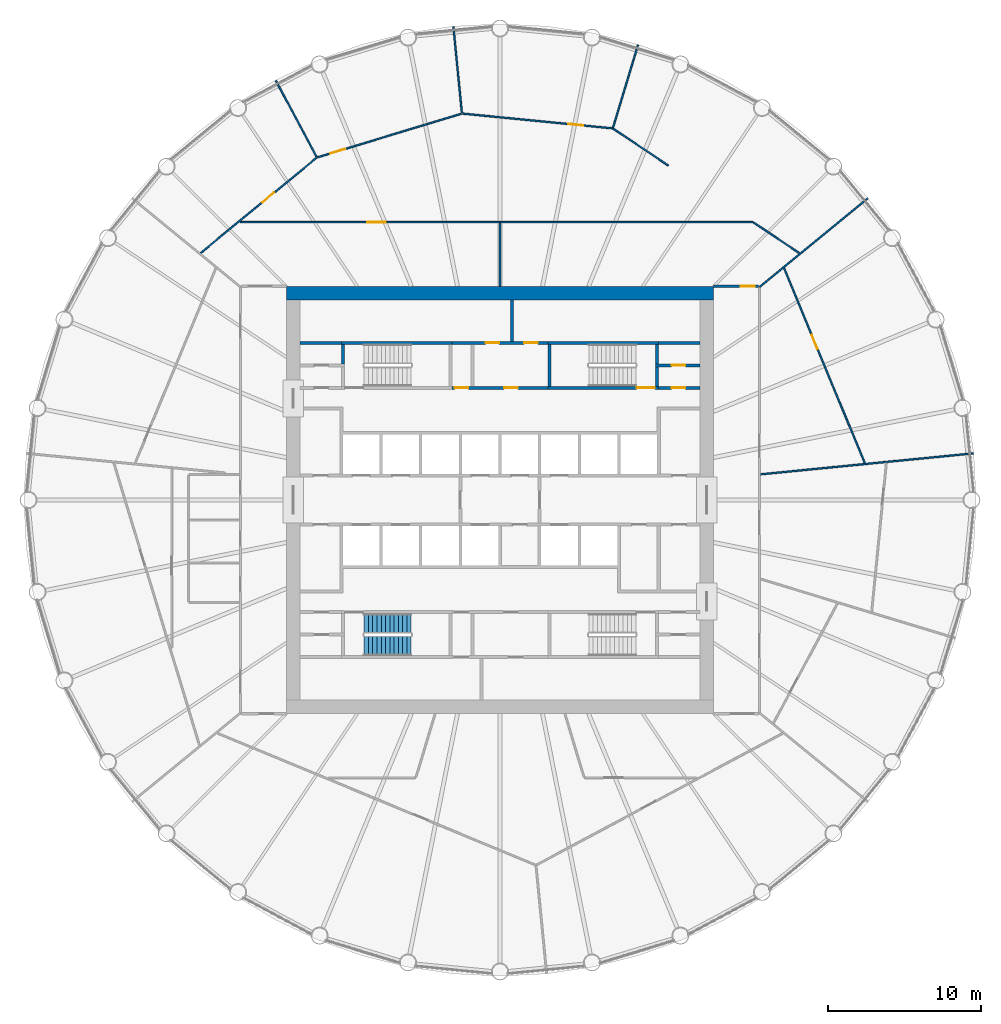
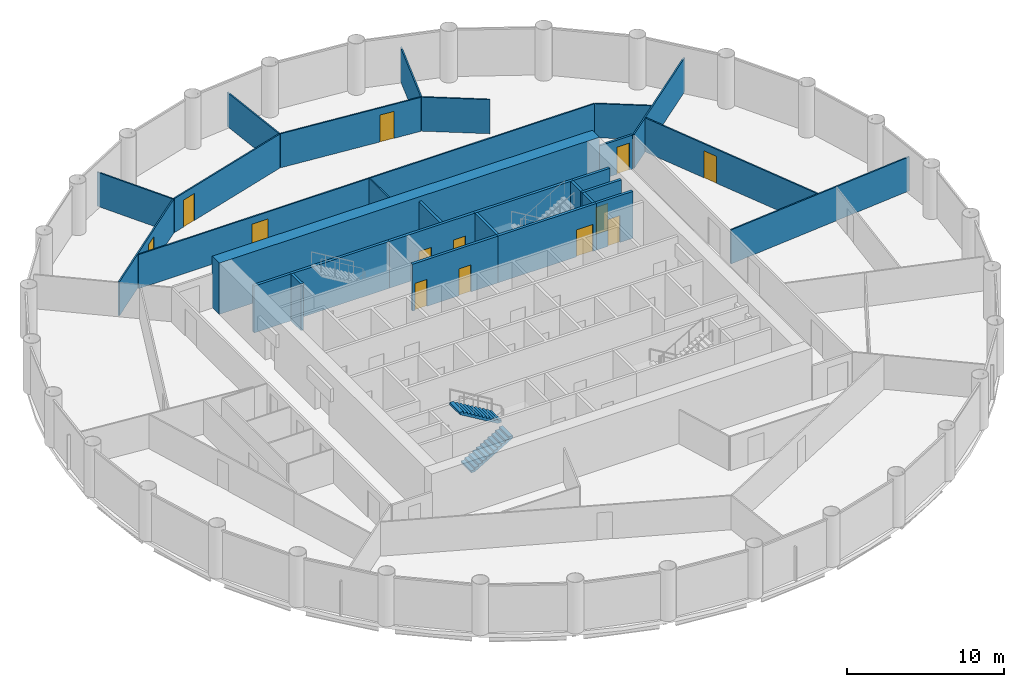
# One storey, part 7 of 9: 29 walls, 13 doors, 2 stair flights, 13 openings, 1 element without a shape of its own.
"""IFC4 building model written with IfcOpenShell, lengths in metres."""

from ifc_helpers import new_model, si_unit, direction, frame, frame_2d, origin, place, context, subcontext, project, spatial, polyline, rectangle, outline, extrude, material, layer, layer_set, type_object, element, fill, aggregate, save


model = new_model("IFC4")

# Units and contexts
model_context = context("Model", 3, precision=1e-05, world=origin(), true_north=direction((0.0, 1.0)))
body_context = subcontext(model_context, "Body", "Model", "MODEL_VIEW")
ifc_project = project(units=[si_unit("LENGTHUNIT", "METRE"), si_unit("AREAUNIT", "SQUARE_METRE"), si_unit("VOLUMEUNIT", "CUBIC_METRE"), si_unit("PLANEANGLEUNIT", "RADIAN"), si_unit("MASSUNIT", "GRAM", prefix="KILO")], contexts=[model_context])

# Site, building, storey
site_placement = place(None, origin())
site = spatial("IfcSite", under=ifc_project, at=site_placement, CompositionType="ELEMENT")
building_placement = place(site_placement, origin())
building = spatial("IfcBuilding", under=site, at=building_placement, Name="Corvane Civic Tower", CompositionType="ELEMENT")
storey_placement = place(building_placement, frame((0.0, 0.0, 192.0)))
storey = spatial("IfcBuildingStorey", under=building, at=storey_placement, Name="L45", CompositionType="ELEMENT", Elevation=192.0)

# Wall
ifc_material_1 = material(Name="Concrete C60/75", Category="concrete")
ifc_layer_1 = layer(ifc_material_1, 0.89990234375)
ifc_layer_set_1 = layer_set([ifc_layer_1], Name="Concrete C60/75")
wall_type_1 = type_object("IfcWallType", Name="CORE WALL 900 C60/75", PredefinedType="SHEAR", material=ifc_layer_set_1)
wall_1_placement = place(storey_placement, frame((-14.0, 13.550048828125, 0.0), z_axis=(0.0, 0.0, 1.0), x_axis=(1.0, 0.0, 0.0)))
element("IfcWall", 1, at=wall_1_placement, inside=storey, type_object=wall_type_1, Name="W-L45-core-N", PredefinedType="SHEAR", context=body_context, shape_type="SweptSolid", body=[
    extrude(rectangle(XDim=28.0, YDim=0.89990234375, at=frame_2d((14.0, 0.0))), origin(), (0.0, 0.0, 1.0), 4.0),
])

# Wall, openings, doors
ifc_material_2 = material(Name="Concrete C30/37", Category="concrete")
ifc_layer_2 = layer(ifc_material_2, 0.199951171875)
ifc_layer_set_2 = layer_set([ifc_layer_2], Name="Concrete C30/37")
wall_type_2 = type_object("IfcWallType", Name="CR-WALL-200", PredefinedType="PARTITIONING", material=ifc_layer_set_2)
wall_2_placement = place(storey_placement, frame((-3.14990234375, 7.35009765625, 0.0), z_axis=(0.0, 0.0, 1.0), x_axis=(1.0, 0.0, 0.0)))
wall_2 = element("IfcWall", 2, at=wall_2_placement, inside=storey, type_object=wall_type_2, Name="L45 core partition wall", PredefinedType="PARTITIONING", context=body_context, shape_type="SweptSolid", body=[
    extrude(rectangle(XDim=6.2998046875, YDim=0.199951171875, at=frame_2d((3.14990234375, 0.0))), origin(), (0.0, 0.0, 1.0), 3.64990234375),
])
opening_1_placement = place(wall_2_placement, frame((0.175048828125, 0.0, 0.0)))
opening_1 = element("IfcOpeningElement", 3, at=opening_1_placement, cuts=wall_2, Name="Opening L45.C07", PredefinedType="OPENING", context=body_context, shape_type="SweptSolid", body=[
    extrude(rectangle(XDim=0.89990234375, YDim=2.10009765625, at=frame_2d((0.449951171875, 1.050048828125))), frame((0.0, 0.10986328125, 0.0), z_axis=(0.0, -1.0, 0.0), x_axis=(1.0, 0.0, 0.0)), (0.0, 0.0, 1.0), 0.219970703125),
])
opening_2_placement = place(wall_2_placement, frame((3.425048828125, 0.0, 0.0)))
opening_2 = element("IfcOpeningElement", 4, at=opening_2_placement, cuts=wall_2, Name="Opening L45.C08", PredefinedType="OPENING", context=body_context, shape_type="SweptSolid", body=[
    extrude(rectangle(XDim=0.89990234375, YDim=2.10009765625, at=frame_2d((0.449951171875, 1.050048828125))), frame((0.0, 0.10986328125, 0.0), z_axis=(0.0, -1.0, 0.0), x_axis=(1.0, 0.0, 0.0)), (0.0, 0.0, 1.0), 0.219970703125),
])
ifc_material_3 = material(Name="Steel fire door leaf", Category="steel")
door_type_1 = type_object("IfcDoorType", Name="CR-DOOR-900", OperationType="SINGLE_SWING_LEFT", PredefinedType="DOOR", material=ifc_material_3)
door_1_placement = place(opening_1_placement, origin())
door_1 = element("IfcDoor", 5, at=door_1_placement, inside=storey, type_object=door_type_1, Name="L45 door", OperationType="SINGLE_SWING_LEFT", OverallHeight=2.10009765625, OverallWidth=0.89990234375, PredefinedType="DOOR", context=body_context, shape_type="SweptSolid", body=[
    extrude(rectangle(XDim=0.89990234375, YDim=2.10009765625, at=frame_2d((0.449951171875, 1.050048828125))), frame((0.0, 0.02490234375, 0.0), z_axis=(0.0, -1.0, 0.0), x_axis=(1.0, 0.0, 0.0)), (0.0, 0.0, 1.0), 0.050048828125),
])
fill(opening_1, door_1)
door_2_placement = place(opening_2_placement, origin())
door_2 = element("IfcDoor", 6, at=door_2_placement, inside=storey, type_object=door_type_1, Name="L45 door", OperationType="SINGLE_SWING_LEFT", OverallHeight=2.10009765625, OverallWidth=0.89990234375, PredefinedType="DOOR", context=body_context, shape_type="SweptSolid", body=[
    extrude(rectangle(XDim=0.89990234375, YDim=2.10009765625, at=frame_2d((0.449951171875, 1.050048828125))), frame((0.0, 0.02490234375, 0.0), z_axis=(0.0, -1.0, 0.0), x_axis=(1.0, 0.0, 0.0)), (0.0, 0.0, 1.0), 0.050048828125),
])
fill(opening_2, door_2)

# Wall, opening, door
wall_3_placement = place(storey_placement, frame((10.39990234375, 7.35009765625, 0.0), z_axis=(0.0, 0.0, 1.0), x_axis=(1.0, 0.0, 0.0)))
wall_3 = element("IfcWall", 7, at=wall_3_placement, inside=storey, type_object=wall_type_2, Name="L45 core partition wall", PredefinedType="PARTITIONING", context=body_context, shape_type="SweptSolid", body=[
    extrude(rectangle(XDim=2.7001953125, YDim=0.199951171875, at=frame_2d((1.35009765625, 0.0))), origin(), (0.0, 0.0, 1.0), 3.64990234375),
])
opening_3_placement = place(wall_3_placement, frame((0.85009765625, 0.0, 0.0)))
opening_3 = element("IfcOpeningElement", 8, at=opening_3_placement, cuts=wall_3, Name="Opening L45.C19", PredefinedType="OPENING", context=body_context, shape_type="SweptSolid", body=[
    extrude(rectangle(XDim=0.89990234375, YDim=2.10009765625, at=frame_2d((0.449951171875, 1.050048828125))), frame((0.0, 0.10986328125, 0.0), z_axis=(0.0, -1.0, 0.0), x_axis=(1.0, 0.0, 0.0)), (0.0, 0.0, 1.0), 0.219970703125),
])
door_3_placement = place(opening_3_placement, origin())
door_3 = element("IfcDoor", 9, at=door_3_placement, inside=storey, type_object=door_type_1, Name="L45 door", OperationType="SINGLE_SWING_LEFT", OverallHeight=2.10009765625, OverallWidth=0.89990234375, PredefinedType="DOOR", context=body_context, shape_type="SweptSolid", body=[
    extrude(rectangle(XDim=0.89990234375, YDim=2.10009765625, at=frame_2d((0.449951171875, 1.050048828125))), frame((0.0, 0.02490234375, 0.0), z_axis=(0.0, -1.0, 0.0), x_axis=(1.0, 0.0, 0.0)), (0.0, 0.0, 1.0), 0.050048828125),
])
fill(opening_3, door_3)

wall_4_placement = place(storey_placement, frame((10.199951171875, 8.824951171875, 0.0), z_axis=(0.0, 0.0, 1.0), x_axis=(1.0, 0.0, 0.0)))
wall_4 = element("IfcWall", 10, at=wall_4_placement, inside=storey, type_object=wall_type_2, Name="L45 partition wall", PredefinedType="PARTITIONING", context=body_context, shape_type="SweptSolid", body=[
    extrude(rectangle(XDim=2.900146484375, YDim=0.199951171875, at=frame_2d((1.4501953125, 0.0))), origin(), (0.0, 0.0, 1.0), 3.64990234375),
])
opening_4_placement = place(wall_4_placement, frame((1.050048828125, 0.0, 0.0)))
opening_4 = element("IfcOpeningElement", 11, at=opening_4_placement, cuts=wall_4, Name="Opening L45.C20", PredefinedType="OPENING", context=body_context, shape_type="SweptSolid", body=[
    extrude(rectangle(XDim=0.89990234375, YDim=2.10009765625, at=frame_2d((0.449951171875, 1.050048828125))), frame((0.0, 0.10986328125, 0.0), z_axis=(0.0, -1.0, 0.0), x_axis=(1.0, 0.0, 0.0)), (0.0, 0.0, 1.0), 0.219970703125),
])
door_4_placement = place(opening_4_placement, origin())
door_4 = element("IfcDoor", 12, at=door_4_placement, inside=storey, type_object=door_type_1, Name="L45 door", OperationType="SINGLE_SWING_LEFT", OverallHeight=2.10009765625, OverallWidth=0.89990234375, PredefinedType="DOOR", context=body_context, shape_type="SweptSolid", body=[
    extrude(rectangle(XDim=0.89990234375, YDim=2.10009765625, at=frame_2d((0.449951171875, 1.050048828125))), frame((0.0, 0.02490234375, 0.0), z_axis=(0.0, -1.0, 0.0), x_axis=(1.0, 0.0, 0.0)), (0.0, 0.0, 1.0), 0.050048828125),
])
fill(opening_4, door_4)

# Wall, openings, doors
wall_5_placement = place(storey_placement, frame((-3.14990234375, 10.300048828125, 0.0), z_axis=(0.0, 0.0, 1.0), x_axis=(1.0, 0.0, 0.0)))
wall_5 = element("IfcWall", 13, at=wall_5_placement, inside=storey, type_object=wall_type_2, Name="L45 partition wall", PredefinedType="PARTITIONING", context=body_context, shape_type="SweptSolid", body=[
    extrude(rectangle(XDim=6.2998046875, YDim=0.199951171875, at=frame_2d((3.14990234375, 0.0))), origin(), (0.0, 0.0, 1.0), 3.64990234375),
])
opening_5_placement = place(wall_5_placement, frame((2.199951171875, 0.0, 0.0)))
opening_5 = element("IfcOpeningElement", 14, at=opening_5_placement, cuts=wall_5, Name="Opening L45.C11", PredefinedType="OPENING", context=body_context, shape_type="SweptSolid", body=[
    extrude(rectangle(XDim=0.89990234375, YDim=2.10009765625, at=frame_2d((0.449951171875, 1.050048828125))), frame((0.0, 0.10986328125, 0.0), z_axis=(0.0, -1.0, 0.0), x_axis=(1.0, 0.0, 0.0)), (0.0, 0.0, 1.0), 0.219970703125),
])
opening_6_placement = place(wall_5_placement, frame((4.72509765625, 0.0, 0.0)))
opening_6 = element("IfcOpeningElement", 15, at=opening_6_placement, cuts=wall_5, Name="Opening L45.C12", PredefinedType="OPENING", context=body_context, shape_type="SweptSolid", body=[
    extrude(rectangle(XDim=0.89990234375, YDim=2.10009765625, at=frame_2d((0.449951171875, 1.050048828125))), frame((0.0, 0.10986328125, 0.0), z_axis=(0.0, -1.0, 0.0), x_axis=(1.0, 0.0, 0.0)), (0.0, 0.0, 1.0), 0.219970703125),
])
door_5_placement = place(opening_5_placement, origin())
door_5 = element("IfcDoor", 16, at=door_5_placement, inside=storey, type_object=door_type_1, Name="L45 door", OperationType="SINGLE_SWING_LEFT", OverallHeight=2.10009765625, OverallWidth=0.89990234375, PredefinedType="DOOR", context=body_context, shape_type="SweptSolid", body=[
    extrude(rectangle(XDim=0.89990234375, YDim=2.10009765625, at=frame_2d((0.449951171875, 1.050048828125))), frame((0.0, 0.02490234375, 0.0), z_axis=(0.0, -1.0, 0.0), x_axis=(1.0, 0.0, 0.0)), (0.0, 0.0, 1.0), 0.050048828125),
])
fill(opening_5, door_5)
door_6_placement = place(opening_6_placement, origin())
door_6 = element("IfcDoor", 17, at=door_6_placement, inside=storey, type_object=door_type_1, Name="L45 door", OperationType="SINGLE_SWING_LEFT", OverallHeight=2.10009765625, OverallWidth=0.89990234375, PredefinedType="DOOR", context=body_context, shape_type="SweptSolid", body=[
    extrude(rectangle(XDim=0.89990234375, YDim=2.10009765625, at=frame_2d((0.449951171875, 1.050048828125))), frame((0.0, 0.02490234375, 0.0), z_axis=(0.0, -1.0, 0.0), x_axis=(1.0, 0.0, 0.0)), (0.0, 0.0, 1.0), 0.050048828125),
])
fill(opening_6, door_6)

# Walls
wall_6_placement = place(storey_placement, origin())
element("IfcWall", 18, at=wall_6_placement, inside=storey, type_object=wall_type_2, Name="L45 core partition wall", PredefinedType="PARTITIONING", context=body_context, shape_type="SweptSolid", body=[
    extrude(outline(polyline([(-13.10009765625, 10.199951171875), (-13.10009765625, 10.39990234375), (-10.39990234375, 10.39990234375), (-10.39990234375, 10.199951171875), (-13.10009765625, 10.199951171875)])), origin(), (0.0, 0.0, 1.0), 3.64990234375),
])
wall_7_placement = place(storey_placement, origin())
element("IfcWall", 19, at=wall_7_placement, inside=storey, type_object=wall_type_2, Name="L45 core partition wall", PredefinedType="PARTITIONING", context=body_context, shape_type="SweptSolid", body=[
    extrude(outline(polyline([(0.89990234375, 10.39990234375), (0.699951171875, 10.39990234375), (0.699951171875, 13.10009765625), (0.89990234375, 13.10009765625), (0.89990234375, 10.39990234375)])), origin(), (0.0, 0.0, 1.0), 3.64990234375),
])
wall_8_placement = place(storey_placement, origin())
element("IfcWall", 20, at=wall_8_placement, inside=storey, type_object=wall_type_2, Name="L45 core partition wall", PredefinedType="PARTITIONING", context=body_context, shape_type="SweptSolid", body=[
    extrude(outline(polyline([(10.39990234375, 10.199951171875), (10.39990234375, 10.39990234375), (13.10009765625, 10.39990234375), (13.10009765625, 10.199951171875), (10.39990234375, 10.199951171875)])), origin(), (0.0, 0.0, 1.0), 3.64990234375),
])
ifc_material_4 = material(Name="Plasterboard")
ifc_layer_3 = layer(ifc_material_4, 0.10009765625)
ifc_layer_set_3 = layer_set([ifc_layer_3], Name="Plasterboard")
wall_type_3 = type_object("IfcWallType", Name="Partition 100 plasterboard on studs", PredefinedType="PARTITIONING", material=ifc_layer_set_3)
wall_9_placement = place(storey_placement, frame((17.079833984375, 1.68212890625, 0.0), z_axis=(0.0, 0.0, 1.0), x_axis=(0.995184356936, 0.098020894254, 0.0)))
element("IfcWall", 21, at=wall_9_placement, inside=storey, type_object=wall_type_3, Name="Partition L45.025", PredefinedType="PARTITIONING", context=body_context, shape_type="SweptSolid", body=[
    extrude(rectangle(XDim=13.98779296875, YDim=0.10009765625, at=frame_2d((6.993896484375, 0.0))), origin(), (0.0, 0.0, 1.0), 2.64990234375),
])

# Wall, opening, door
wall_10_placement = place(storey_placement, frame((18.610107421875, 15.189697265625, 0.0), z_axis=(0.0, 0.0, 1.0), x_axis=(0.382690797322, -0.923876481812, 0.0)))
wall_10 = element("IfcWall", 22, at=wall_10_placement, inside=storey, type_object=wall_type_3, Name="Partition L45.028", PredefinedType="PARTITIONING", context=body_context, shape_type="SweptSolid", body=[
    extrude(rectangle(XDim=13.8232421875, YDim=0.10009765625, at=frame_2d((6.91162109375, 0.0))), origin(), (0.0, 0.0, 1.0), 2.64990234375),
])
opening_7_placement = place(wall_10_placement, frame((4.73095703125, 0.0, 0.0)))
opening_7 = element("IfcOpeningElement", 23, at=opening_7_placement, cuts=wall_10, Name="Opening L45.012", PredefinedType="OPENING", context=body_context, shape_type="SweptSolid", body=[
    extrude(rectangle(XDim=1.0, YDim=2.10009765625, at=frame_2d((0.5, 1.050048828125))), frame((0.0, 0.06005859375, 0.0), z_axis=(0.0, -1.0, 0.0), x_axis=(1.0, 0.0, 0.0)), (0.0, 0.0, 1.0), 0.1201171875),
])
ifc_material_5 = material(Name="Timber", Category="wood")
door_type_2 = type_object("IfcDoorType", Name="Single door 1000", OperationType="NOTDEFINED", PredefinedType="DOOR", material=ifc_material_5)
door_7_placement = place(opening_7_placement, origin())
door_7 = element("IfcDoor", 24, at=door_7_placement, inside=storey, type_object=door_type_2, Name="Door L45.012", OperationType="SINGLE_SWING_LEFT", OverallHeight=2.10009765625, OverallWidth=1.0, PredefinedType="DOOR", context=body_context, shape_type="SweptSolid", body=[
    extrude(rectangle(XDim=1.0, YDim=2.10009765625, at=frame_2d((0.5, 1.050048828125))), frame((0.0, 0.02490234375, 0.0), z_axis=(0.0, -1.0, 0.0), x_axis=(1.0, 0.0, 0.0)), (0.0, 0.0, 1.0), 0.050048828125),
])
fill(opening_7, door_7)

# Walls
wall_11_placement = place(storey_placement, frame((17.018310546875, 13.966552734375, 0.0), z_axis=(0.0, 0.0, 1.0), x_axis=(0.773006154143, 0.634398522742, 0.0)))
element("IfcWall", 25, at=wall_11_placement, inside=storey, type_object=wall_type_3, Name="Partition L45.030", PredefinedType="PARTITIONING", context=body_context, shape_type="SweptSolid", body=[
    extrude(rectangle(XDim=9.134521484375, YDim=0.10009765625, at=frame_2d((4.5673828125, 0.0))), origin(), (0.0, 0.0, 1.0), 2.64990234375),
])
wall_12_placement = place(storey_placement, frame((0.0, 14.0, 0.0), z_axis=(0.0, 0.0, 1.0), x_axis=(0.0, 1.0, 0.0)))
element("IfcWall", 26, at=wall_12_placement, inside=storey, type_object=wall_type_3, Name="Partition L45.032", PredefinedType="PARTITIONING", context=body_context, shape_type="SweptSolid", body=[
    extrude(rectangle(XDim=4.14990234375, YDim=0.10009765625, at=frame_2d((2.074951171875, 0.0))), origin(), (0.0, 0.0, 1.0), 2.64990234375),
])

# Wall, opening, door
wall_13_placement = place(storey_placement, frame((-19.620849609375, 16.1796875, 0.0), z_axis=(0.0, 0.0, 1.0), x_axis=(0.773002133185, 0.634403422194, 0.0)))
wall_13 = element("IfcWall", 27, at=wall_13_placement, inside=storey, type_object=wall_type_3, Name="Partition L45.034", PredefinedType="PARTITIONING", context=body_context, shape_type="SweptSolid", body=[
    extrude(rectangle(XDim=9.82568359375, YDim=0.10009765625, at=frame_2d((4.912841796875, 0.0))), origin(), (0.0, 0.0, 1.0), 2.64990234375),
])
opening_8_placement = place(wall_13_placement, frame((5.23779296875, 0.0, 0.0)))
opening_8 = element("IfcOpeningElement", 28, at=opening_8_placement, cuts=wall_13, Name="Opening L45.001", PredefinedType="OPENING", context=body_context, shape_type="SweptSolid", body=[
    extrude(rectangle(XDim=1.0, YDim=2.10009765625, at=frame_2d((0.5, 1.050048828125))), frame((0.0, 0.06005859375, 0.0), z_axis=(0.0, -1.0, 0.0), x_axis=(1.0, 0.0, 0.0)), (0.0, 0.0, 1.0), 0.1201171875),
])
door_8_placement = place(opening_8_placement, origin())
door_8 = element("IfcDoor", 29, at=door_8_placement, inside=storey, type_object=door_type_2, Name="Door L45.001", OperationType="SINGLE_SWING_RIGHT", OverallHeight=2.10009765625, OverallWidth=1.0, PredefinedType="DOOR", context=body_context, shape_type="SweptSolid", body=[
    extrude(rectangle(XDim=1.0, YDim=2.10009765625, at=frame_2d((0.5, 1.050048828125))), frame((0.0, 0.02490234375, 0.0), z_axis=(0.0, -1.0, 0.0), x_axis=(1.0, 0.0, 0.0)), (0.0, 0.0, 1.0), 0.050048828125),
])
fill(opening_8, door_8)

# Wall
wall_14_placement = place(storey_placement, frame((16.59912109375, 18.191650390625, 0.0), z_axis=(0.0, 0.0, 1.0), x_axis=(0.831448583588, -0.555601703425, 0.0)))
element("IfcWall", 30, at=wall_14_placement, inside=storey, type_object=wall_type_3, Name="Partition L45.035", PredefinedType="PARTITIONING", context=body_context, shape_type="SweptSolid", body=[
    extrude(rectangle(XDim=3.62353515625, YDim=0.10009765625, at=frame_2d((1.811767578125, 0.0))), origin(), (0.0, 0.0, 1.0), 2.64990234375),
])

# Wall, opening, door
wall_15_placement = place(storey_placement, frame((-17.019287109375, 18.199951171875, 0.0), z_axis=(0.0, 0.0, 1.0), x_axis=(1.0, 0.0, 0.0)))
wall_15 = element("IfcWall", 31, at=wall_15_placement, inside=storey, type_object=wall_type_3, Name="Partition L45.036", PredefinedType="PARTITIONING", context=body_context, shape_type="SweptSolid", body=[
    extrude(rectangle(XDim=33.590576171875, YDim=0.10009765625, at=frame_2d((16.79541015625, 0.0))), origin(), (0.0, 0.0, 1.0), 2.64990234375),
])
opening_9_placement = place(wall_15_placement, frame((8.331298828125, 0.0, 0.0)))
opening_9 = element("IfcOpeningElement", 32, at=opening_9_placement, cuts=wall_15, Name="Opening L45.004", PredefinedType="OPENING", context=body_context, shape_type="SweptSolid", body=[
    extrude(rectangle(XDim=1.199951171875, YDim=2.10009765625, at=frame_2d((0.60009765625, 1.050048828125))), frame((0.0, 0.06005859375, 0.0), z_axis=(0.0, -1.0, 0.0), x_axis=(1.0, 0.0, 0.0)), (0.0, 0.0, 1.0), 0.1201171875),
])
ifc_material_6 = material(Name="Timber", Category="wood")
door_type_3 = type_object("IfcDoorType", Name="Double door 1200", OperationType="NOTDEFINED", PredefinedType="DOOR", material=ifc_material_6)
door_9_placement = place(opening_9_placement, origin())
door_9 = element("IfcDoor", 33, at=door_9_placement, inside=storey, type_object=door_type_3, Name="Door L45.004", OperationType="DOUBLE_DOOR_SINGLE_SWING", OverallHeight=2.10009765625, OverallWidth=1.199951171875, PredefinedType="DOOR", context=body_context, shape_type="SweptSolid", body=[
    extrude(rectangle(XDim=1.199951171875, YDim=2.10009765625, at=frame_2d((0.60009765625, 1.050048828125))), frame((0.0, 0.02490234375, 0.0), z_axis=(0.0, -1.0, 0.0), x_axis=(1.0, 0.0, 0.0)), (0.0, 0.0, 1.0), 0.050048828125),
])
fill(opening_9, door_9)

wall_16_placement = place(storey_placement, frame((-11.95458984375, 22.450927734375, 0.0), z_axis=(0.0, 0.0, 1.0), x_axis=(0.956934470231, 0.290304012516, 0.0)))
wall_16 = element("IfcWall", 34, at=wall_16_placement, inside=storey, type_object=wall_type_3, Name="Partition L45.037", PredefinedType="PARTITIONING", context=body_context, shape_type="SweptSolid", body=[
    extrude(rectangle(XDim=9.845458984375, YDim=0.10009765625, at=frame_2d((4.9228515625, 0.0))), origin(), (0.0, 0.0, 1.0), 2.64990234375),
])
opening_10_placement = place(wall_16_placement, frame((0.875, 0.0, 0.0)))
opening_10 = element("IfcOpeningElement", 35, at=opening_10_placement, cuts=wall_16, Name="Opening L45.002", PredefinedType="OPENING", context=body_context, shape_type="SweptSolid", body=[
    extrude(rectangle(XDim=1.0, YDim=2.10009765625, at=frame_2d((0.5, 1.050048828125))), frame((0.0, 0.06005859375, 0.0), z_axis=(0.0, -1.0, 0.0), x_axis=(1.0, 0.0, 0.0)), (0.0, 0.0, 1.0), 0.1201171875),
])
door_10_placement = place(opening_10_placement, origin())
door_10 = element("IfcDoor", 36, at=door_10_placement, inside=storey, type_object=door_type_2, Name="Door L45.002", OperationType="SINGLE_SWING_LEFT", OverallHeight=2.10009765625, OverallWidth=1.0, PredefinedType="DOOR", context=body_context, shape_type="SweptSolid", body=[
    extrude(rectangle(XDim=1.0, YDim=2.10009765625, at=frame_2d((0.5, 1.050048828125))), frame((0.0, 0.02490234375, 0.0), z_axis=(0.0, -1.0, 0.0), x_axis=(1.0, 0.0, 0.0)), (0.0, 0.0, 1.0), 0.050048828125),
])
fill(opening_10, door_10)

# Wall
wall_17_placement = place(storey_placement, frame((-14.68408203125, 27.47216796875, 0.0), z_axis=(0.0, 0.0, 1.0), x_axis=(0.471384205125, -0.881927962568, 0.0)))
element("IfcWall", 37, at=wall_17_placement, inside=storey, type_object=wall_type_3, Name="Partition L45.038", PredefinedType="PARTITIONING", context=body_context, shape_type="SweptSolid", body=[
    extrude(rectangle(XDim=5.666015625, YDim=0.10009765625, at=frame_2d((2.8330078125, 0.0))), origin(), (0.0, 0.0, 1.0), 2.64990234375),
])

# Wall, opening, door
wall_18_placement = place(storey_placement, frame((-2.453125, 25.31689453125, 0.0), z_axis=(0.0, 0.0, 1.0), x_axis=(0.995184135225, -0.098023145206, 0.0)))
wall_18 = element("IfcWall", 38, at=wall_18_placement, inside=storey, type_object=wall_type_3, Name="Partition L45.039", PredefinedType="PARTITIONING", context=body_context, shape_type="SweptSolid", body=[
    extrude(rectangle(XDim=9.845458984375, YDim=0.10009765625, at=frame_2d((4.9228515625, 0.0))), origin(), (0.0, 0.0, 1.0), 2.64990234375),
])
opening_11_placement = place(wall_18_placement, frame((6.946044921875, 0.0, 0.0)))
opening_11 = element("IfcOpeningElement", 39, at=opening_11_placement, cuts=wall_18, Name="Opening L45.003", PredefinedType="OPENING", context=body_context, shape_type="SweptSolid", body=[
    extrude(rectangle(XDim=1.0, YDim=2.10009765625, at=frame_2d((0.5, 1.050048828125))), frame((0.0, 0.06005859375, 0.0), z_axis=(0.0, -1.0, 0.0), x_axis=(1.0, 0.0, 0.0)), (0.0, 0.0, 1.0), 0.1201171875),
])
door_11_placement = place(opening_11_placement, origin())
door_11 = element("IfcDoor", 40, at=door_11_placement, inside=storey, type_object=door_type_2, Name="Door L45.003", OperationType="SINGLE_SWING_LEFT", OverallHeight=2.10009765625, OverallWidth=1.0, PredefinedType="DOOR", context=body_context, shape_type="SweptSolid", body=[
    extrude(rectangle(XDim=1.0, YDim=2.10009765625, at=frame_2d((0.5, 1.050048828125))), frame((0.0, 0.02490234375, 0.0), z_axis=(0.0, -1.0, 0.0), x_axis=(1.0, 0.0, 0.0)), (0.0, 0.0, 1.0), 0.050048828125),
])
fill(opening_11, door_11)

# Walls
for number, where, z_axis, x_axis, name in (
    (41, (7.397705078125, 24.386962890625, 0.0), (0.0, 0.0, 1.0), (0.290295601416, 0.956937021856, 0.0), "Partition L45.040"),
    (42, (-3.05322265625, 31.000244140625, 0.0), (0.0, 0.0, 1.0), (0.098031694815, -0.995183293073, 0.0), "Partition L45.041"),
):
    element("IfcWall", number, at=place(storey_placement, frame(where, z_axis=z_axis, x_axis=x_axis)), inside=storey, type_object=wall_type_3, Name=name, PredefinedType="PARTITIONING", context=body_context, shape_type="SweptSolid", body=[
        extrude(rectangle(XDim=5.665771484375, YDim=0.10009765625, at=frame_2d((2.8330078125, 0.0))), origin(), (0.0, 0.0, 1.0), 2.64990234375),
    ])
wall_19_placement = place(storey_placement, frame((7.3857421875, 24.34765625, 0.0), z_axis=(0.0, 0.0, 1.0), x_axis=(0.831467221436, -0.555573811188, 0.0)))
element("IfcWall", 43, at=wall_19_placement, inside=storey, type_object=wall_type_3, Name="Partition L45.042", PredefinedType="PARTITIONING", context=body_context, shape_type="SweptSolid", body=[
    extrude(rectangle(XDim=4.3837890625, YDim=0.10009765625, at=frame_2d((2.19189453125, 0.0))), origin(), (0.0, 0.0, 1.0), 2.64990234375),
])

# Wall, opening, door
ifc_material_7 = material(Name="Concrete C50/60", Category="concrete")
ifc_layer_4 = layer(ifc_material_7, 0.199951171875)
ifc_layer_set_4 = layer_set([ifc_layer_4], Name="Concrete C50/60")
wall_type_4 = type_object("IfcWallType", Name="ST-WALL-200", PredefinedType="SHEAR", material=ifc_layer_set_4)
wall_20_placement = place(storey_placement, frame((3.14990234375, 7.35009765625, 0.0), z_axis=(0.0, 0.0, 1.0), x_axis=(1.0, 0.0, 0.0)))
wall_20 = element("IfcWall", 44, at=wall_20_placement, inside=storey, type_object=wall_type_4, Name="L45 stair enclosure wall", PredefinedType="SHEAR", context=body_context, shape_type="SweptSolid", body=[
    extrude(rectangle(XDim=7.25, YDim=0.199951171875, at=frame_2d((3.625, 0.0))), origin(), (0.0, 0.0, 1.0), 3.64990234375),
])
opening_12_placement = place(wall_20_placement, frame((5.800048828125, 0.0, 0.0)))
opening_12 = element("IfcOpeningElement", 45, at=opening_12_placement, cuts=wall_20, Name="Opening L45.C23", PredefinedType="OPENING", context=body_context, shape_type="SweptSolid", body=[
    extrude(rectangle(XDim=1.199951171875, YDim=2.10009765625, at=frame_2d((0.60009765625, 1.050048828125))), frame((0.0, 0.10986328125, 0.0), z_axis=(0.0, -1.0, 0.0), x_axis=(1.0, 0.0, 0.0)), (0.0, 0.0, 1.0), 0.219970703125),
])
ifc_material_8 = material(Name="Steel fire door leaf", Category="steel")
door_type_4 = type_object("IfcDoorType", Name="ST-DOOR-1200", OperationType="SINGLE_SWING_RIGHT", PredefinedType="DOOR", material=ifc_material_8)
door_12_placement = place(opening_12_placement, origin())
door_12 = element("IfcDoor", 46, at=door_12_placement, inside=storey, type_object=door_type_4, Name="L45 stair door", OperationType="SINGLE_SWING_RIGHT", OverallHeight=2.10009765625, OverallWidth=1.199951171875, PredefinedType="DOOR", context=body_context, shape_type="SweptSolid", body=[
    extrude(rectangle(XDim=1.199951171875, YDim=2.10009765625, at=frame_2d((0.60009765625, 1.050048828125))), frame((0.0, 0.02490234375, 0.0), z_axis=(0.0, -1.0, 0.0), x_axis=(1.0, 0.0, 0.0)), (0.0, 0.0, 1.0), 0.050048828125),
])
fill(opening_12, door_12)

# Walls
wall_21_placement = place(storey_placement, origin())
element("IfcWall", 47, at=wall_21_placement, inside=storey, type_object=wall_type_4, Name="L45 stair enclosure wall", PredefinedType="SHEAR", context=body_context, shape_type="SweptSolid", body=[
    extrude(outline(polyline([(-3.14990234375, 10.199951171875), (-10.39990234375, 10.199951171875), (-10.39990234375, 10.39990234375), (-3.14990234375, 10.39990234375), (-3.14990234375, 10.199951171875)])), origin(), (0.0, 0.0, 1.0), 3.64990234375),
])
wall_22_placement = place(storey_placement, origin())
element("IfcWall", 48, at=wall_22_placement, inside=storey, type_object=wall_type_4, Name="L45 stair enclosure wall", PredefinedType="SHEAR", context=body_context, shape_type="SweptSolid", body=[
    extrude(outline(polyline([(10.39990234375, 10.199951171875), (3.14990234375, 10.199951171875), (3.14990234375, 10.39990234375), (10.39990234375, 10.39990234375), (10.39990234375, 10.199951171875)])), origin(), (0.0, 0.0, 1.0), 3.64990234375),
])
wall_23_placement = place(storey_placement, origin())
element("IfcWall", 49, at=wall_23_placement, inside=storey, type_object=wall_type_4, Name="L45 stair enclosure wall", PredefinedType="SHEAR", context=body_context, shape_type="SweptSolid", body=[
    extrude(outline(polyline([(3.35009765625, 7.449951171875), (3.14990234375, 7.449951171875), (3.14990234375, 10.199951171875), (3.35009765625, 10.199951171875), (3.35009765625, 7.449951171875)])), origin(), (0.0, 0.0, 1.0), 3.64990234375),
])
wall_24_placement = place(storey_placement, origin())
element("IfcWall", 50, at=wall_24_placement, inside=storey, type_object=wall_type_4, Name="L45 stair enclosure wall", PredefinedType="SHEAR", context=body_context, shape_type="SweptSolid", body=[
    extrude(outline(polyline([(10.39990234375, 8.72509765625), (10.39990234375, 7.449951171875), (10.199951171875, 7.449951171875), (10.199951171875, 8.72509765625), (10.39990234375, 8.72509765625)])), origin(), (0.0, 0.0, 1.0), 3.64990234375),
])
wall_25_placement = place(storey_placement, origin())
element("IfcWall", 51, at=wall_25_placement, inside=storey, type_object=wall_type_4, Name="L45 stair enclosure wall", PredefinedType="SHEAR", context=body_context, shape_type="SweptSolid", body=[
    extrude(outline(polyline([(-10.199951171875, 8.925048828125), (-10.39990234375, 8.925048828125), (-10.39990234375, 10.199951171875), (-10.199951171875, 10.199951171875), (-10.199951171875, 8.925048828125)])), origin(), (0.0, 0.0, 1.0), 3.64990234375),
])
wall_26_placement = place(storey_placement, origin())
element("IfcWall", 52, at=wall_26_placement, inside=storey, type_object=wall_type_4, Name="L45 stair enclosure wall", PredefinedType="SHEAR", context=body_context, shape_type="SweptSolid", body=[
    extrude(outline(polyline([(10.39990234375, 8.925048828125), (10.199951171875, 8.925048828125), (10.199951171875, 10.199951171875), (10.39990234375, 10.199951171875), (10.39990234375, 8.925048828125)])), origin(), (0.0, 0.0, 1.0), 3.64990234375),
])

# Wall, opening, door
ifc_material_9 = material(Name="Plasterboard")
ifc_layer_5 = layer(ifc_material_9, 0.14990234375)
ifc_layer_set_5 = layer_set([ifc_layer_5], Name="Plasterboard")
wall_type_5 = type_object("IfcWallType", Name="Tenancy wall 150 EI 60", PredefinedType="PARTITIONING", material=ifc_layer_set_5)
wall_27_placement = place(storey_placement, frame((13.989990234375, 14.0, 0.0), z_axis=(0.0, 0.0, 1.0), x_axis=(1.0, 0.0, 0.0)))
wall_27 = element("IfcWall", 53, at=wall_27_placement, inside=storey, type_object=wall_type_5, Name="Partition L45.033", PredefinedType="PARTITIONING", context=body_context, shape_type="SweptSolid", body=[
    extrude(rectangle(XDim=2.93505859375, YDim=0.14990234375, at=frame_2d((1.467529296875, 0.0))), origin(), (0.0, 0.0, 1.0), 2.64990234375),
])
opening_13_placement = place(wall_27_placement, frame((1.794921875, 0.0, 0.0)))
opening_13 = element("IfcOpeningElement", 54, at=opening_13_placement, cuts=wall_27, Name="Opening L45.006", PredefinedType="OPENING", context=body_context, shape_type="SweptSolid", body=[
    extrude(rectangle(XDim=0.89990234375, YDim=2.10009765625, at=frame_2d((0.449951171875, 1.050048828125))), frame((0.0, 0.0849609375, 0.0), z_axis=(0.0, -1.0, 0.0), x_axis=(1.0, 0.0, 0.0)), (0.0, 0.0, 1.0), 0.169921875),
])
ifc_material_10 = material(Name="Steel and timber", Category="steel")
door_type_5 = type_object("IfcDoorType", Name="Fire door FD30S 900", OperationType="NOTDEFINED", PredefinedType="DOOR", material=ifc_material_10)
door_13_placement = place(opening_13_placement, origin())
door_13 = element("IfcDoor", 55, at=door_13_placement, inside=storey, type_object=door_type_5, Name="Door L45.006", OperationType="SINGLE_SWING_LEFT", OverallHeight=2.10009765625, OverallWidth=0.89990234375, PredefinedType="DOOR", context=body_context, shape_type="SweptSolid", body=[
    extrude(rectangle(XDim=0.89990234375, YDim=2.10009765625, at=frame_2d((0.449951171875, 1.050048828125))), frame((0.0, 0.02490234375, 0.0), z_axis=(0.0, -1.0, 0.0), x_axis=(1.0, 0.0, 0.0)), (0.0, 0.0, 1.0), 0.050048828125),
])
fill(opening_13, door_13)

# Stair, stair flights
ifc_material_11 = material(Name="Concrete C40/50", Category="concrete")
stair_type = type_object("IfcStairType", Name="ST-STAIR-HALFTURN", PredefinedType="HALF_TURN_STAIR", material=ifc_material_11)
stair_placement = place(storey_placement, origin())
stair = element("IfcStair", 56, at=stair_placement, inside=storey, type_object=stair_type, Name="L45 Exit stair ST3", PredefinedType="HALF_TURN_STAIR")
ifc_material_12 = material(Name="Concrete C40/50", Category="concrete")
stair_flight_type = type_object("IfcStairFlightType", Name="ST-FLIGHT-RC", PredefinedType="STRAIGHT", material=ifc_material_12)
stair_flight_1_placement = place(storey_placement, frame((-8.89990234375, -9.550048828125, 0.0), z_axis=(0.0, 0.0, 1.0), x_axis=(1.0, 0.0, 0.0)))
stair_flight_1 = element("IfcStairFlight", 57, at=stair_flight_1_placement, type_object=stair_flight_type, Name="ST3 flight 1", NumberOfRisers=12, NumberOfTreads=11, PredefinedType="STRAIGHT", RiserHeight=0.166666667, TreadLength=0.28, context=body_context, shape_type="SweptSolid", body=[
    extrude(outline(polyline([(0.0, 0.0), (0.0, 0.166748046875), (0.280029296875, 0.166748046875), (0.280029296875, 0.333251953125), (0.56005859375, 0.333251953125), (0.56005859375, 0.5), (0.840087890625, 0.5), (0.840087890625, 0.666748046875), (1.1201171875, 0.666748046875), (1.1201171875, 0.833251953125), (1.39990234375, 0.833251953125), (1.39990234375, 1.0), (1.679931640625, 1.0), (1.679931640625, 1.166748046875), (1.9599609375, 1.166748046875), (1.9599609375, 1.333251953125), (2.239990234375, 1.333251953125), (2.239990234375, 1.5), (2.52001953125, 1.5), (2.52001953125, 1.666748046875), (2.800048828125, 1.666748046875), (2.800048828125, 1.833251953125), (3.080078125, 1.833251953125), (3.080078125, 2.0), (3.080078125, 1.658935546875), (0.29296875, 0.0), (0.0, 0.0)])), frame((0.0, 0.64990234375, 0.0), z_axis=(0.0, -1.0, 0.0), x_axis=(1.0, 0.0, 0.0)), (0.0, 0.0, 1.0), 1.300048828125),
])
stair_flight_2_placement = place(storey_placement, frame((-5.820068359375, -8.10009765625, 2.0), z_axis=(0.0, 0.0, 1.0), x_axis=(-1.0, 0.0, 0.0)))
stair_flight_2 = element("IfcStairFlight", 58, at=stair_flight_2_placement, type_object=stair_flight_type, Name="ST3 flight 2", NumberOfRisers=12, NumberOfTreads=11, PredefinedType="STRAIGHT", RiserHeight=0.166666667, TreadLength=0.28, context=body_context, shape_type="SweptSolid", body=[
    extrude(outline(polyline([(0.0, 0.0), (0.0, 0.166748046875), (0.280029296875, 0.166748046875), (0.280029296875, 0.333251953125), (0.56005859375, 0.333251953125), (0.56005859375, 0.5), (0.840087890625, 0.5), (0.840087890625, 0.666748046875), (1.1201171875, 0.666748046875), (1.1201171875, 0.833251953125), (1.39990234375, 0.833251953125), (1.39990234375, 1.0), (1.679931640625, 1.0), (1.679931640625, 1.166748046875), (1.9599609375, 1.166748046875), (1.9599609375, 1.333251953125), (2.239990234375, 1.333251953125), (2.239990234375, 1.5), (2.52001953125, 1.5), (2.52001953125, 1.666748046875), (2.800048828125, 1.666748046875), (2.800048828125, 1.833251953125), (3.080078125, 1.833251953125), (3.080078125, 2.0), (3.080078125, 1.658935546875), (0.29296875, 0.0), (0.0, 0.0)])), frame((0.0, 0.64990234375, 0.0), z_axis=(0.0, -1.0, 0.0), x_axis=(1.0, 0.0, 0.0)), (0.0, 0.0, 1.0), 1.300048828125),
])
aggregate(stair, [stair_flight_1, stair_flight_2])

save(model, "model.ifc")
